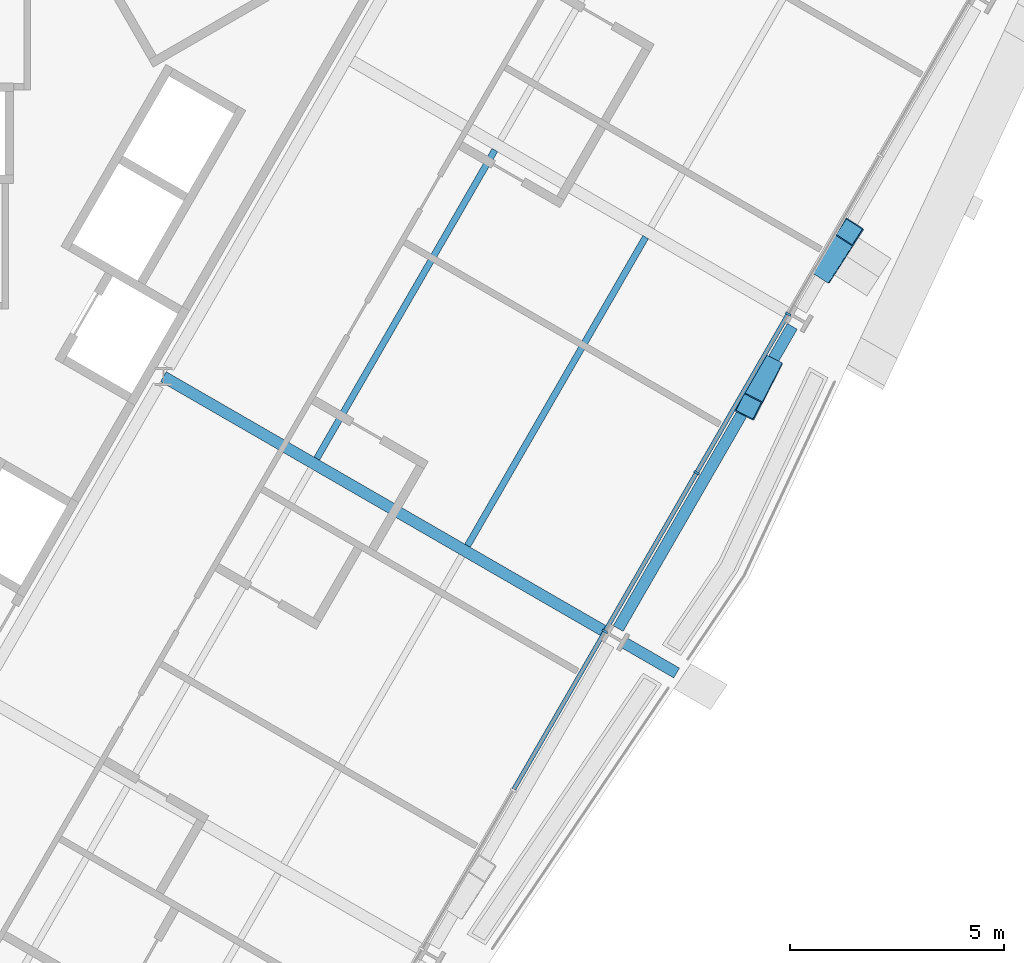
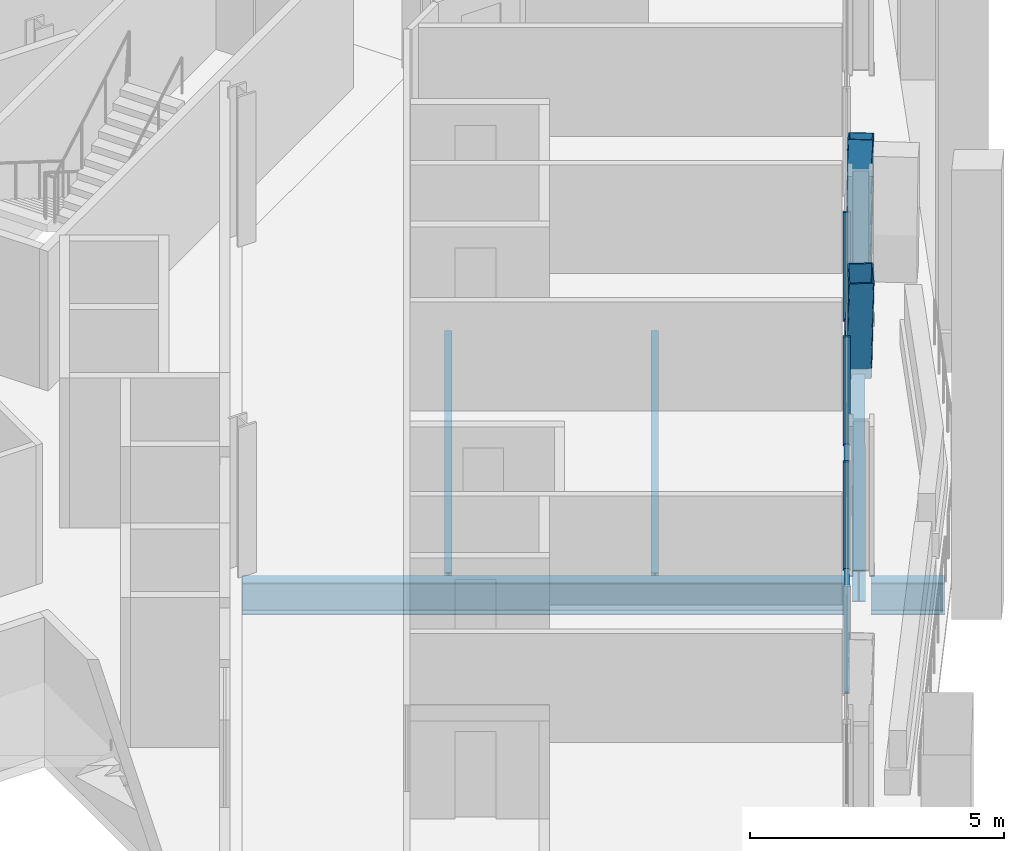
# One storey, part 6 of 21: 8 members, 5 beams, 1 element without a shape of its own.
"""IFC4 building model written with IfcOpenShell, lengths in metres."""

from ifc_helpers import new_model, si_unit, direction, frame, origin, origin_2d, place, context, subcontext, project, spatial, rectangle, hollow_rectangle, i_section, extrude, material, material_profile, profile_set, type_object, element, aggregate, save


model = new_model("IFC4")

# Units and contexts
model_context = context("Model", 3, precision=1e-05, world=origin(), true_north=direction((0.0, 1.0)))
body_context = subcontext(model_context, "Body", "Model", "MODEL_VIEW")
ifc_project = project(units=[si_unit("LENGTHUNIT", "METRE"), si_unit("AREAUNIT", "SQUARE_METRE"), si_unit("VOLUMEUNIT", "CUBIC_METRE"), si_unit("PLANEANGLEUNIT", "RADIAN"), si_unit("MASSUNIT", "GRAM", prefix="KILO")], contexts=[model_context])

# Site, building, storey
site_placement = place(None, origin())
site = spatial("IfcSite", under=ifc_project, at=site_placement, CompositionType="ELEMENT")
building_placement = place(site_placement, origin())
building = spatial("IfcBuilding", under=site, at=building_placement, Name="Verrane Prism Tower", CompositionType="ELEMENT")
storey_placement = place(building_placement, frame((0.0, 0.0, 65.60009765625)))
storey = spatial("IfcBuildingStorey", under=building, at=storey_placement, Name="L14", CompositionType="ELEMENT", Elevation=65.60009765625)

# Members
ifc_material_1 = material(Name="Steel A1085 Grade A", Category="steel")
ifc_material_profile_1 = material_profile(ifc_material_1, hollow_rectangle(XDim=0.508056640625, YDim=0.508056640625, WallThickness=0.025390625, InnerFilletRadius=0.0126953125, OuterFilletRadius=0.0380859375, at=origin_2d()), Name="HSS20x20x1")
ifc_profile_set_1 = profile_set([ifc_material_profile_1], Name="Steel A1085 Grade A")
member_type_1 = type_object("IfcMemberType", Name="Facade brace HSS20x20x1", PredefinedType="BRACE", material=ifc_profile_set_1)
member_1_placement = place(storey_placement, frame((22.081787109375, -4.389892578125, -0.24267578125), z_axis=(-0.146294877582, -0.285363418595, 0.947188222119), x_axis=(0.889874860998, -0.456204703793, 0.0)))
element("IfcMember", 1, at=member_1_placement, inside=storey, type_object=member_type_1, Name="Facade brace SE3 L14", PredefinedType="BRACE", context=body_context, shape_type="SweptSolid", body=[
    extrude(hollow_rectangle(XDim=0.508056640625, YDim=0.508056640625, WallThickness=0.025390625, InnerFilletRadius=0.0126953125, OuterFilletRadius=0.0380859375, at=origin_2d()), origin(), (0.0, 0.0, 1.0), 3.17578125),
])
member_2_placement = place(storey_placement, frame((23.4052734375, -2.0947265625, -0.24267578125), z_axis=(0.175918733474, 0.273395518602, 0.945678322487), x_axis=(-0.84094827656, 0.541115510914, 0.0)))
element("IfcMember", 2, at=member_2_placement, inside=storey, type_object=member_type_1, Name="Facade brace SE4 L14", PredefinedType="BRACE", context=body_context, shape_type="SweptSolid", body=[
    extrude(hollow_rectangle(XDim=0.508056640625, YDim=0.508056640625, WallThickness=0.025390625, InnerFilletRadius=0.0126953125, OuterFilletRadius=0.0380859375, at=origin_2d()), origin(), (0.0, 0.0, 1.0), 3.180908203125),
])

# Beams
ifc_material_2 = material(Name="Steel A992", Category="steel")
ifc_material_profile_2 = material_profile(ifc_material_2, i_section(OverallWidth=0.15234375, OverallDepth=0.449462890625, WebThickness=0.007568359375, FlangeThickness=0.0107421875, FilletRadius=0.01025390625, at=origin_2d()), Name="W18x35")
ifc_profile_set_2 = profile_set([ifc_material_profile_2], Name="Steel A992")
beam_type_1 = type_object("IfcBeamType", Name="Floor beam W18x35", PredefinedType="BEAM", material=ifc_profile_set_2)
beam_1_placement = place(storey_placement, frame((15.06103515625, -8.54296875, -0.385009765625), z_axis=(0.500001430823, 0.866024577697, 0.0), x_axis=(-0.866024577697, 0.500001430823, 0.0)))
element("IfcBeam", 3, at=beam_1_placement, inside=storey, type_object=beam_type_1, Name="Floor beam L14", PredefinedType="BEAM", context=body_context, shape_type="SweptSolid", body=[
    extrude(i_section(OverallWidth=0.15234375, OverallDepth=0.449462890625, WebThickness=0.007568359375, FlangeThickness=0.0107421875, FilletRadius=0.01025390625, at=origin_2d()), origin(), (0.0, 0.0, 1.0), 8.3076171875),
])
beam_2_placement = place(storey_placement, frame((11.545166015625, -6.51171875, -0.385009765625), z_axis=(0.499988705844, 0.86603192437, 0.0), x_axis=(-0.86603192437, 0.499988705844, 0.0)))
element("IfcBeam", 4, at=beam_2_placement, inside=storey, type_object=beam_type_1, Name="Floor beam L14", PredefinedType="BEAM", context=body_context, shape_type="SweptSolid", body=[
    extrude(i_section(OverallWidth=0.15234375, OverallDepth=0.449462890625, WebThickness=0.007568359375, FlangeThickness=0.0107421875, FilletRadius=0.01025390625, at=origin_2d()), origin(), (0.0, 0.0, 1.0), 8.307861328125),
])

# Curtain wall, members
ifc_material_3 = material(Name="Aluminium framed insulated glazing", Category="aluminium")
curtain_wall_type = type_object("IfcCurtainWallType", Name="Curtain wall CW-C 4200 module", PredefinedType="NOTDEFINED", material=ifc_material_3)
curtain_wall_placement = place(storey_placement, origin())
curtain_wall = element("IfcCurtainWall", 5, at=curtain_wall_placement, inside=storey, type_object=curtain_wall_type, Name="Glazed curtain wall south-east face L14", PredefinedType="NOTDEFINED")
ifc_material_4 = material(Name="Aluminium alloy 6063-T6", Category="aluminium")
ifc_material_profile_3 = material_profile(ifc_material_4, rectangle(XDim=0.139892578125, YDim=0.050048828125, at=origin_2d()), Name="Mullion 50x140 aluminium")
ifc_profile_set_3 = profile_set([ifc_material_profile_3], Name="Aluminium alloy 6063-T6")
member_type_2 = type_object("IfcMemberType", Name="Mullion 50x140 aluminium", PredefinedType="MULLION", material=ifc_profile_set_3)
member_3_placement = place(storey_placement, frame((18.265380859375, -10.54541015625, 0.0), z_axis=(0.0, 0.0, 1.0), x_axis=(-0.866025283147, 0.50000020895, 0.0)))
member_3 = element("IfcMember", 6, at=member_3_placement, type_object=member_type_2, Name="CW14.6 mullion 7", PredefinedType="MULLION", context=body_context, shape_type="SweptSolid", body=[
    extrude(rectangle(XDim=0.139892578125, YDim=0.050048828125, at=origin_2d()), origin(), (0.0, 0.0, 1.0), 2.61279296875),
])
member_4_placement = place(storey_placement, frame((20.402587890625, -6.843505859375, 0.0), z_axis=(0.0, 0.0, 1.0), x_axis=(-0.866025283147, 0.50000020895, 0.0)))
member_4 = element("IfcMember", 7, at=member_4_placement, type_object=member_type_2, Name="CW14.6 mullion 8", PredefinedType="MULLION", context=body_context, shape_type="SweptSolid", body=[
    extrude(rectangle(XDim=0.139892578125, YDim=0.050048828125, at=origin_2d()), origin(), (0.0, 0.0, 1.0), 2.61279296875),
])
member_5_placement = place(storey_placement, frame((22.5400390625, -3.141357421875, 0.0), z_axis=(0.0, 0.0, 1.0), x_axis=(-0.866025283147, 0.50000020895, 0.0)))
member_5 = element("IfcMember", 8, at=member_5_placement, type_object=member_type_2, Name="CW14.6 mullion 9", PredefinedType="MULLION", context=body_context, shape_type="SweptSolid", body=[
    extrude(rectangle(XDim=0.139892578125, YDim=0.050048828125, at=origin_2d()), origin(), (0.0, 0.0, 1.0), 2.61279296875),
])

# Beams
ifc_material_5 = material(Name="Steel A992", Category="steel")
ifc_material_profile_4 = material_profile(ifc_material_5, i_section(OverallWidth=0.2666015625, OverallDepth=0.76708984375, WebThickness=0.014892578125, FlangeThickness=0.023681640625, FilletRadius=0.0166015625, at=origin_2d()), Name="W30x124")
ifc_profile_set_4 = profile_set([ifc_material_profile_4], Name="Steel A992")
beam_type_2 = type_object("IfcBeamType", Name="Radial girder W30x124", PredefinedType="BEAM", material=ifc_profile_set_4)
beam_3_placement = place(storey_placement, frame((18.25048828125, -10.540283203125, -0.603515625), z_axis=(-0.866018826434, 0.500011392132, 0.0), x_axis=(-0.500011392132, -0.866018826434, 0.0)))
element("IfcBeam", 9, at=beam_3_placement, inside=storey, type_object=beam_type_2, Name="Radial girder L14", PredefinedType="BEAM", context=body_context, shape_type="SweptSolid", body=[
    extrude(i_section(OverallWidth=0.2666015625, OverallDepth=0.76708984375, WebThickness=0.014892578125, FlangeThickness=0.023681640625, FilletRadius=0.0166015625, at=origin_2d()), origin(), (0.0, 0.0, 1.0), 11.873291015625),
])
beam_4_placement = place(storey_placement, frame((18.677978515625, -10.787109375, -0.603515625), z_axis=(0.865992696156, -0.500056646995, 0.0), x_axis=(0.500056646995, 0.865992696156, 0.0)))
element("IfcBeam", 10, at=beam_4_placement, inside=storey, type_object=beam_type_2, Name="Cantilever girder L14", PredefinedType="BEAM", context=body_context, shape_type="SweptSolid", body=[
    extrude(i_section(OverallWidth=0.2666015625, OverallDepth=0.76708984375, WebThickness=0.014892578125, FlangeThickness=0.023681640625, FilletRadius=0.0166015625, at=origin_2d()), origin(), (0.0, 0.0, 1.0), 1.454345703125),
])
ifc_material_6 = material(Name="Steel A992", Category="steel")
ifc_material_profile_5 = material_profile(ifc_material_6, i_section(OverallWidth=0.2666015625, OverallDepth=0.7568359375, WebThickness=0.013916015625, FlangeThickness=0.019287109375, FilletRadius=0.0166015625, at=origin_2d()), Name="W30x108")
ifc_profile_set_5 = profile_set([ifc_material_profile_5], Name="Steel A992")
beam_type_3 = type_object("IfcBeamType", Name="Spandrel beam W30x108", PredefinedType="SPANDREL", material=ifc_profile_set_5)
beam_5_placement = place(storey_placement, frame((18.57373046875, -10.4775390625, -0.53857421875), z_axis=(0.499284111064, 0.866438328122, 0.0), x_axis=(-0.866438328122, 0.499284111064, 0.0)))
element("IfcBeam", 11, at=beam_5_placement, inside=storey, type_object=beam_type_3, Name="Spandrel beam L14", PredefinedType="SPANDREL", context=body_context, shape_type="SweptSolid", body=[
    extrude(i_section(OverallWidth=0.2666015625, OverallDepth=0.7568359375, WebThickness=0.013916015625, FlangeThickness=0.019287109375, FilletRadius=0.0166015625, at=origin_2d()), origin(), (0.0, 0.0, 1.0), 8.1337890625),
])

# Member
ifc_material_7 = material(Name="Aluminium alloy 6063-T6", Category="aluminium")
ifc_material_profile_6 = material_profile(ifc_material_7, rectangle(XDim=0.10009765625, YDim=0.050048828125, at=origin_2d()), Name="Transom 50x100 aluminium")
ifc_profile_set_6 = profile_set([ifc_material_profile_6], Name="Aluminium alloy 6063-T6")
member_type_3 = type_object("IfcMemberType", Name="Transom 50x100 aluminium", PredefinedType="USERDEFINED", material=ifc_profile_set_6)
member_6_placement = place(storey_placement, frame((16.140380859375, -14.225830078125, 0.02490234375), z_axis=(0.499992582699, 0.866029686123, 0.0), x_axis=(-0.866029686123, 0.499992582699, 0.0)))
member_6 = element("IfcMember", 12, at=member_6_placement, type_object=member_type_3, Name="CW14.6 transom 6", ObjectType="TRANSOM", PredefinedType="USERDEFINED", context=body_context, shape_type="SweptSolid", body=[
    extrude(rectangle(XDim=0.10009765625, YDim=0.050048828125, at=origin_2d()), origin(), (0.0, 0.0, 1.0), 4.224609375),
])

member_7_placement = place(storey_placement, frame((18.27783203125, -10.52392578125, 0.02490234375), z_axis=(0.499967560512, 0.866044131922, 0.0), x_axis=(-0.866044131922, 0.499967560512, 0.0)))
member_7 = element("IfcMember", 13, at=member_7_placement, type_object=member_type_3, Name="CW14.6 transom 7", ObjectType="TRANSOM", PredefinedType="USERDEFINED", context=body_context, shape_type="SweptSolid", body=[
    extrude(rectangle(XDim=0.10009765625, YDim=0.050048828125, at=origin_2d()), origin(), (0.0, 0.0, 1.0), 4.224853515625),
])

member_8_placement = place(storey_placement, frame((20.415283203125, -6.82177734375, 0.02490234375), z_axis=(0.499992582699, 0.866029686123, 0.0), x_axis=(-0.866029686123, 0.499992582699, 0.0)))
member_8 = element("IfcMember", 14, at=member_8_placement, type_object=member_type_3, Name="CW14.6 transom 8", ObjectType="TRANSOM", PredefinedType="USERDEFINED", context=body_context, shape_type="SweptSolid", body=[
    extrude(rectangle(XDim=0.10009765625, YDim=0.050048828125, at=origin_2d()), origin(), (0.0, 0.0, 1.0), 4.224609375),
])

aggregate(curtain_wall, [member_3, member_4, member_5, member_6, member_7, member_8])

save(model, "model.ifc")
